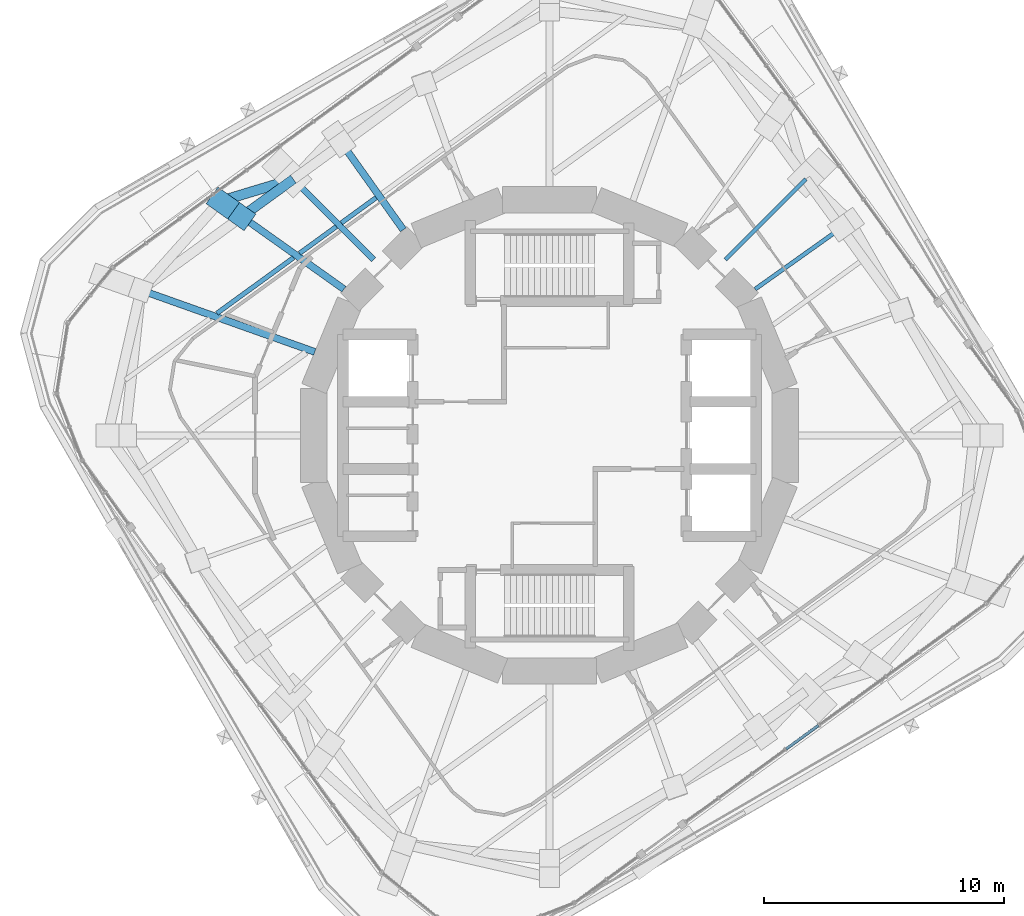
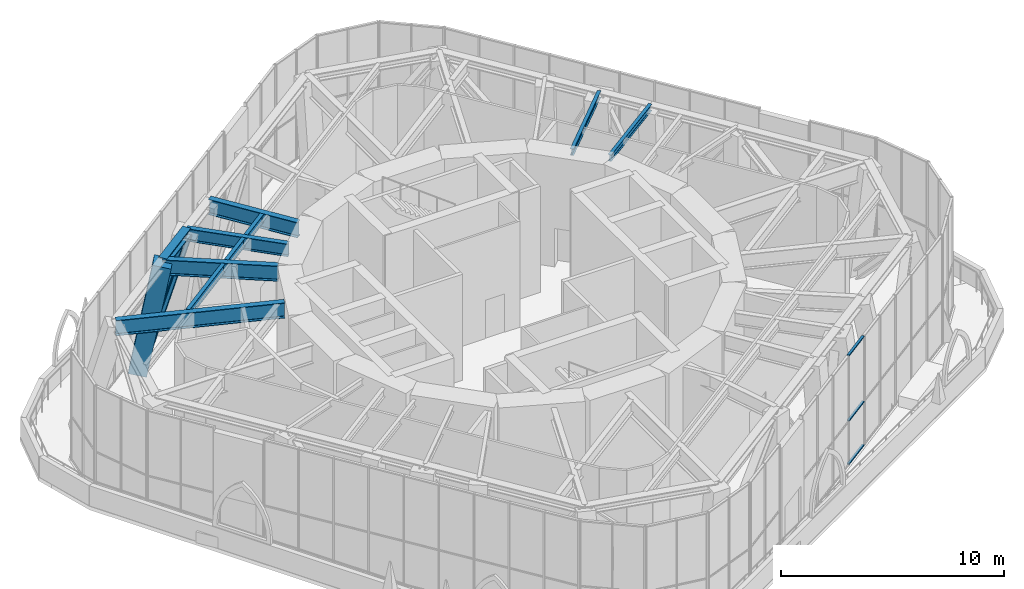
# One storey, part 5 of 18: 9 beams, 6 members, 1 element without a shape of its own.
"""IFC4 building model written with IfcOpenShell, lengths in metres."""

from ifc_helpers import new_model, si_unit, direction, frame, origin, origin_2d, place, context, subcontext, project, spatial, rectangle, i_section, extrude, material, material_profile, profile_set, type_object, element, aggregate, save


model = new_model("IFC4")

# Units and contexts
model_context = context("Model", 3, precision=1e-05, world=origin(), true_north=direction((0.0, 1.0)))
body_context = subcontext(model_context, "Body", "Model", "MODEL_VIEW")
ifc_project = project(units=[si_unit("LENGTHUNIT", "METRE"), si_unit("AREAUNIT", "SQUARE_METRE"), si_unit("VOLUMEUNIT", "CUBIC_METRE"), si_unit("PLANEANGLEUNIT", "RADIAN"), si_unit("MASSUNIT", "GRAM", prefix="KILO")], contexts=[model_context])

# Site, building, storey
site_placement = place(None, origin())
site = spatial("IfcSite", under=ifc_project, at=site_placement, CompositionType="ELEMENT")
building_placement = place(site_placement, origin())
building = spatial("IfcBuilding", under=site, at=building_placement, Name="Nakasero Lantern House", CompositionType="ELEMENT")
storey_placement = place(building_placement, frame((0.0, 0.0, 257.75)))
storey = spatial("IfcBuildingStorey", under=building, at=storey_placement, Name="L63", CompositionType="ELEMENT", Elevation=257.75)

# Members
ifc_material_1 = material(Name="Steel S355", Category="steel")
ifc_material_profile_1 = material_profile(ifc_material_1, i_section(OverallWidth=0.406982421875, OverallDepth=0.4189453125, WebThickness=0.030517578125, FlangeThickness=0.04931640625, FilletRadius=0.01513671875, at=origin_2d()), Name="UC 356x406x393")
ifc_profile_set_1 = profile_set([ifc_material_profile_1], Name="Steel S355")
member_type_1 = type_object("IfcMemberType", Name="Belt truss chord UC 356x406x393", PredefinedType="CHORD", material=ifc_profile_set_1)
member_1_placement = place(storey_placement, frame((-10.667236328125, 10.667236328125, 5.590576171875), z_axis=(-0.809018895839, -0.587782635143, 0.0), x_axis=(0.587782635143, -0.809018895839, 0.0)))
element("IfcMember", 1, at=member_1_placement, inside=storey, type_object=member_type_1, Name="Belt truss top chord T6 B7-C12T", PredefinedType="CHORD", context=body_context, shape_type="SweptSolid", body=[
    extrude(i_section(OverallWidth=0.406982421875, OverallDepth=0.4189453125, WebThickness=0.030517578125, FlangeThickness=0.04931640625, FilletRadius=0.01513671875, at=origin_2d()), origin(), (0.0, 0.0, 1.0), 2.649658203125),
])
ifc_material_2 = material(Name="Steel S355", Category="steel")
ifc_material_profile_2 = material_profile(ifc_material_2, i_section(OverallWidth=0.41845703125, OverallDepth=0.45556640625, WebThickness=0.0419921875, FlangeThickness=0.0673828125, FilletRadius=0.01513671875, at=origin_2d()), Name="UC 356x406x551")
ifc_profile_set_2 = profile_set([ifc_material_profile_2], Name="Steel S355")
member_type_2 = type_object("IfcMemberType", Name="Belt truss diagonal UC 356x406x551", PredefinedType="BRACE", material=ifc_profile_set_2)
member_2_placement = place(storey_placement, frame((-10.667236328125, 10.667236328125, 5.590576171875), z_axis=(-0.448346351729, -0.135007261487, -0.883605448284), x_axis=(0.288333984177, -0.95752990218, 0.0)))
element("IfcMember", 2, at=member_2_placement, inside=storey, type_object=member_type_2, Name="Belt truss diagonal T6-12", PredefinedType="BRACE", context=body_context, shape_type="SweptSolid", body=[
    extrude(i_section(OverallWidth=0.41845703125, OverallDepth=0.45556640625, WebThickness=0.0419921875, FlangeThickness=0.0673828125, FilletRadius=0.01513671875, at=origin_2d()), origin(), (0.0, 0.0, 1.0), 6.790283203125),
])

# Beams
ifc_material_3 = material(Name="Steel S355", Category="steel")
ifc_material_profile_3 = material_profile(ifc_material_3, i_section(OverallWidth=0.19140625, OverallDepth=0.4599609375, WebThickness=0.010009765625, FlangeThickness=0.01611328125, FilletRadius=0.01025390625, at=origin_2d()), Name="UB 457x191x82")
ifc_profile_set_3 = profile_set([ifc_material_profile_3], Name="Steel S355")
beam_type_1 = type_object("IfcBeamType", Name="Infill beam UB 457x191x82", PredefinedType="JOIST", material=ifc_profile_set_3)
beam_1_placement = place(storey_placement, frame((-13.849609375, 5.07958984375, 5.570068359375), z_axis=(0.809024940909, 0.587774314671, 0.0), x_axis=(-0.587774314671, 0.809024940909, 0.0)))
element("IfcBeam", 3, at=beam_1_placement, inside=storey, type_object=beam_type_1, Name="Infill beam L64 10.2", PredefinedType="JOIST", context=body_context, shape_type="SweptSolid", body=[
    extrude(i_section(OverallWidth=0.19140625, OverallDepth=0.4599609375, WebThickness=0.010009765625, FlangeThickness=0.01611328125, FilletRadius=0.01025390625, at=origin_2d()), origin(), (0.0, 0.0, 1.0), 3.946044921875),
])
beam_2_placement = place(storey_placement, frame((-10.407470703125, 7.580322265625, 5.570068359375), z_axis=(0.809031333144, 0.587765516163, 0.0), x_axis=(-0.587765516163, 0.809031333144, 0.0)))
element("IfcBeam", 4, at=beam_2_placement, inside=storey, type_object=beam_type_1, Name="Infill beam L64 10.3", PredefinedType="JOIST", context=body_context, shape_type="SweptSolid", body=[
    extrude(i_section(OverallWidth=0.19140625, OverallDepth=0.4599609375, WebThickness=0.010009765625, FlangeThickness=0.01611328125, FilletRadius=0.01025390625, at=origin_2d()), origin(), (0.0, 0.0, 1.0), 1.89453125),
])
beam_3_placement = place(storey_placement, frame((-8.665283203125, 8.84619140625, 5.570068359375), z_axis=(0.809060510352, 0.587725353025, 0.0), x_axis=(-0.587725353025, 0.809060510352, 0.0)))
element("IfcBeam", 5, at=beam_3_placement, inside=storey, type_object=beam_type_1, Name="Infill beam L64 10.4", PredefinedType="JOIST", context=body_context, shape_type="SweptSolid", body=[
    extrude(i_section(OverallWidth=0.19140625, OverallDepth=0.4599609375, WebThickness=0.010009765625, FlangeThickness=0.01611328125, FilletRadius=0.01025390625, at=origin_2d()), origin(), (0.0, 0.0, 1.0), 1.7890625),
])
ifc_material_4 = material(Name="Steel S355", Category="steel")
ifc_material_profile_4 = material_profile(ifc_material_4, i_section(OverallWidth=0.17138671875, OverallDepth=0.35498046875, WebThickness=0.00732421875, FlangeThickness=0.011474609375, FilletRadius=0.01025390625, at=origin_2d()), Name="UB 356x171x51")
ifc_profile_set_4 = profile_set([ifc_material_profile_4], Name="Steel S355")
beam_type_2 = type_object("IfcBeamType", Name="Primary beam UB 356x171x51, span to 6 m", PredefinedType="BEAM", material=ifc_profile_set_4)
beam_4_placement = place(storey_placement, frame((12.1435546875, 8.63525390625, 5.62255859375), z_axis=(-0.814988544116, -0.579477068537, 0.0), x_axis=(0.579477068537, -0.814988544116, 0.0)))
element("IfcBeam", 6, at=beam_4_placement, inside=storey, type_object=beam_type_2, Name="Primary beam L64 B7-C05T", PredefinedType="BEAM", context=body_context, shape_type="SweptSolid", body=[
    extrude(i_section(OverallWidth=0.17138671875, OverallDepth=0.35498046875, WebThickness=0.00732421875, FlangeThickness=0.011474609375, FilletRadius=0.01025390625, at=origin_2d()), origin(), (0.0, 0.0, 1.0), 4.396484375),
])
beam_5_placement = place(storey_placement, frame((10.667236328125, 10.667236328125, 5.62255859375), z_axis=(-0.707106781187, -0.707106781187, 0.0), x_axis=(0.707106781187, -0.707106781187, 0.0)))
element("IfcBeam", 7, at=beam_5_placement, inside=storey, type_object=beam_type_2, Name="Primary beam L64 B7-C06T", PredefinedType="BEAM", context=body_context, shape_type="SweptSolid", body=[
    extrude(i_section(OverallWidth=0.17138671875, OverallDepth=0.35498046875, WebThickness=0.00732421875, FlangeThickness=0.011474609375, FilletRadius=0.01025390625, at=origin_2d()), origin(), (0.0, 0.0, 1.0), 4.727783203125),
])
ifc_material_5 = material(Name="Steel S355", Category="steel")
ifc_material_profile_5 = material_profile(ifc_material_5, i_section(OverallWidth=0.255859375, OverallDepth=0.69287109375, WebThickness=0.014404296875, FlangeThickness=0.023681640625, FilletRadius=0.01513671875, at=origin_2d()), Name="UB 686x254x170")
ifc_profile_set_5 = profile_set([ifc_material_profile_5], Name="Steel S355")
beam_type_3 = type_object("IfcBeamType", Name="Primary beam UB 686x254x170, span to 6 m", PredefinedType="BEAM", material=ifc_profile_set_5)
beam_6_placement = place(storey_placement, frame((-10.667236328125, 10.667236328125, 5.45361328125), z_axis=(0.707106781187, -0.707106781187, 0.0), x_axis=(0.707106781187, 0.707106781187, 0.0)))
element("IfcBeam", 8, at=beam_6_placement, inside=storey, type_object=beam_type_3, Name="Primary beam L64 B7-C12T", PredefinedType="BEAM", context=body_context, shape_type="SweptSolid", body=[
    extrude(i_section(OverallWidth=0.255859375, OverallDepth=0.69287109375, WebThickness=0.014404296875, FlangeThickness=0.023681640625, FilletRadius=0.01513671875, at=origin_2d()), origin(), (0.0, 0.0, 1.0), 4.727783203125),
])
ifc_material_6 = material(Name="Steel S355", Category="steel")
ifc_material_profile_6 = material_profile(ifc_material_6, i_section(OverallWidth=0.29248046875, OverallDepth=0.8408203125, WebThickness=0.0146484375, FlangeThickness=0.02685546875, FilletRadius=0.017822265625, at=origin_2d()), Name="UB 838x292x194")
ifc_profile_set_6 = profile_set([ifc_material_profile_6], Name="Steel S355")
beam_type_4 = type_object("IfcBeamType", Name="Primary beam UB 838x292x194, span 6 to 9 m", PredefinedType="BEAM", material=ifc_profile_set_6)
beam_7_placement = place(storey_placement, frame((-17.02001953125, 6.051513671875, 5.379638671875), z_axis=(0.942222036561, -0.334989005521, 0.0), x_axis=(0.334989005521, 0.942222036561, 0.0)))
element("IfcBeam", 9, at=beam_7_placement, inside=storey, type_object=beam_type_4, Name="Primary beam L64 B7-C14T", PredefinedType="BEAM", context=body_context, shape_type="SweptSolid", body=[
    extrude(i_section(OverallWidth=0.29248046875, OverallDepth=0.8408203125, WebThickness=0.0146484375, FlangeThickness=0.02685546875, FilletRadius=0.017822265625, at=origin_2d()), origin(), (0.0, 0.0, 1.0), 7.6923828125),
])
ifc_material_7 = material(Name="Steel S355", Category="steel")
ifc_material_profile_7 = material_profile(ifc_material_7, i_section(OverallWidth=0.29248046875, OverallDepth=0.8408203125, WebThickness=0.0146484375, FlangeThickness=0.02685546875, FilletRadius=0.017822265625, at=origin_2d()), Name="UB 838x292x194")
ifc_profile_set_7 = profile_set([ifc_material_profile_7], Name="Steel S355")
beam_type_5 = type_object("IfcBeamType", Name="Primary beam UB 838x292x194, span to 6 m", PredefinedType="BEAM", material=ifc_profile_set_7)
beam_8_placement = place(storey_placement, frame((-8.63525390625, 12.1435546875, 5.379638671875), z_axis=(0.579477068537, -0.814988544116, 0.0), x_axis=(0.814988544116, 0.579477068537, 0.0)))
element("IfcBeam", 10, at=beam_8_placement, inside=storey, type_object=beam_type_5, Name="Primary beam L64 B7-C11T", PredefinedType="BEAM", context=body_context, shape_type="SweptSolid", body=[
    extrude(i_section(OverallWidth=0.29248046875, OverallDepth=0.8408203125, WebThickness=0.0146484375, FlangeThickness=0.02685546875, FilletRadius=0.017822265625, at=origin_2d()), origin(), (0.0, 0.0, 1.0), 4.396484375),
])
beam_9_placement = place(storey_placement, frame((-12.810791015625, 9.10986328125, 5.379638671875), z_axis=(0.814971537688, -0.579500985986, 0.0), x_axis=(0.579500985986, 0.814971537688, 0.0)))
element("IfcBeam", 11, at=beam_9_placement, inside=storey, type_object=beam_type_5, Name="Primary beam L64 B7-C13T", PredefinedType="BEAM", context=body_context, shape_type="SweptSolid", body=[
    extrude(i_section(OverallWidth=0.29248046875, OverallDepth=0.8408203125, WebThickness=0.0146484375, FlangeThickness=0.02685546875, FilletRadius=0.017822265625, at=origin_2d()), origin(), (0.0, 0.0, 1.0), 5.215087890625),
])

# Member
ifc_material_8 = material(Name="Concrete C45/55", Category="concrete")
ifc_material_profile_8 = material_profile(ifc_material_8, rectangle(XDim=0.85009765625, YDim=0.85009765625, at=origin_2d()), Name="RC 850x850")
ifc_profile_set_8 = profile_set([ifc_material_profile_8], Name="Concrete C45/55")
member_type_3 = type_object("IfcMemberType", Name="Raking column RC 850x850 C45/55", PredefinedType="STRUT", material=ifc_profile_set_8)
member_3_placement = place(storey_placement, frame((-13.711669921875, 9.75048828125, -0.409423828125), z_axis=(0.147661291921, -0.105003585366, 0.983448214157), x_axis=(0.57952378636, 0.814955324569, 0.0)))
element("IfcMember", 12, at=member_3_placement, inside=storey, type_object=member_type_3, Name="Raking column B7-C13T L63", PredefinedType="STRUT", context=body_context, shape_type="SweptSolid", body=[
    extrude(rectangle(XDim=0.85009765625, YDim=0.85009765625, at=origin_2d()), origin(), (0.0, 0.0, 1.0), 6.10107421875),
])

# Curtain wall, members
ifc_material_9 = material(Name="Aluminium 6063-T6 and glass", Category="aluminium")
curtain_wall_type = type_object("IfcCurtainWallType", Name="Sky lounge glazing CW-3", PredefinedType="USERDEFINED", material=ifc_material_9)
curtain_wall_placement = place(storey_placement, origin())
curtain_wall = element("IfcCurtainWall", 13, at=curtain_wall_placement, inside=storey, type_object=curtain_wall_type, Name="Curtain wall CW-3 L63", ObjectType="STICK CURTAIN WALL", PredefinedType="USERDEFINED")
ifc_material_10 = material(Name="Aluminium 6063-T6", Category="aluminium")
ifc_material_profile_9 = material_profile(ifc_material_10, rectangle(XDim=0.06005859375, YDim=0.1201171875, at=origin_2d()), Name="CW-3 transom 60x120")
ifc_profile_set_9 = profile_set([ifc_material_profile_9], Name="Aluminium 6063-T6")
member_type_4 = type_object("IfcMemberType", Name="Transom CW-3", PredefinedType="USERDEFINED", material=ifc_profile_set_9)
member_4_placement = place(storey_placement, frame((9.850341796875, -13.052978515625, 0.030029296875), z_axis=(0.809002762913, 0.58780483972, 0.0), x_axis=(0.0, 0.0, 1.0)))
member_4 = element("IfcMember", 14, at=member_4_placement, type_object=member_type_4, Name="CW-3 transom 4.1", ObjectType="TRANSOM", PredefinedType="USERDEFINED", context=body_context, shape_type="SweptSolid", body=[
    extrude(rectangle(XDim=0.06005859375, YDim=0.1201171875, at=origin_2d()), origin(), (0.0, 0.0, 1.0), 1.662109375),
])
member_5_placement = place(storey_placement, frame((9.850341796875, -13.052978515625, 2.39990234375), z_axis=(0.809002762913, 0.58780483972, 0.0), x_axis=(0.0, 0.0, 1.0)))
member_5 = element("IfcMember", 15, at=member_5_placement, type_object=member_type_4, Name="CW-3 transom 4.2", ObjectType="TRANSOM", PredefinedType="USERDEFINED", context=body_context, shape_type="SweptSolid", body=[
    extrude(rectangle(XDim=0.06005859375, YDim=0.1201171875, at=origin_2d()), origin(), (0.0, 0.0, 1.0), 1.662109375),
])
member_6_placement = place(storey_placement, frame((9.850341796875, -13.052978515625, 5.969970703125), z_axis=(0.809002762913, 0.58780483972, 0.0), x_axis=(0.0, 0.0, 1.0)))
member_6 = element("IfcMember", 16, at=member_6_placement, type_object=member_type_4, Name="CW-3 transom 4.3", ObjectType="TRANSOM", PredefinedType="USERDEFINED", context=body_context, shape_type="SweptSolid", body=[
    extrude(rectangle(XDim=0.06005859375, YDim=0.1201171875, at=origin_2d()), origin(), (0.0, 0.0, 1.0), 1.662109375),
])
aggregate(curtain_wall, [member_4, member_5, member_6])

save(model, "model.ifc")
